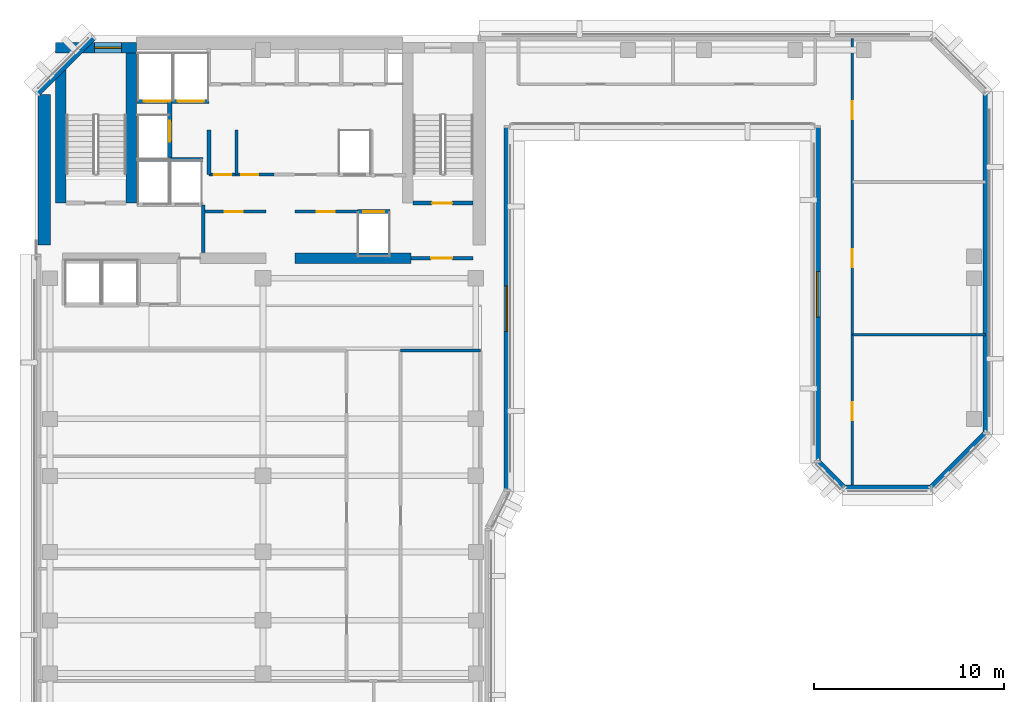
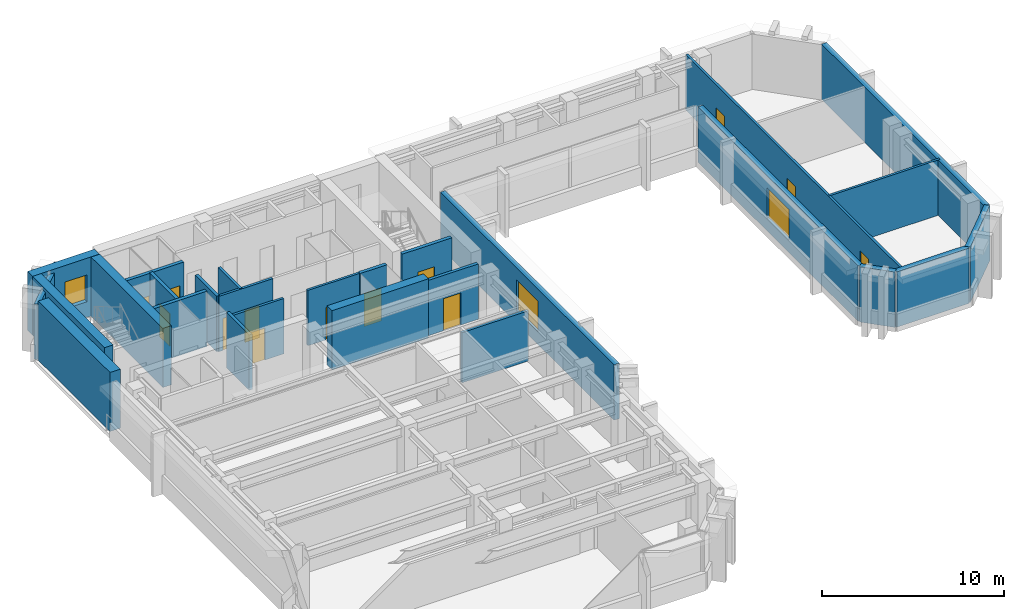
# One storey, part 6 of 11: 27 walls, 13 doors, 3 windows, 16 openings.
"""IFC4 building model written with IfcOpenShell, lengths in metres."""

from ifc_helpers import new_model, si_unit, direction, frame, frame_2d, origin, place, context, subcontext, project, spatial, rectangle, extrude, material, layer, layer_set, type_object, element, fill, save


model = new_model("IFC4")

# Units and contexts
model_context = context("Model", 3, precision=1e-05, world=origin(), true_north=direction((0.0, 1.0)))
body_context = subcontext(model_context, "Body", "Model", "MODEL_VIEW")
ifc_project = project(units=[si_unit("LENGTHUNIT", "METRE"), si_unit("AREAUNIT", "SQUARE_METRE"), si_unit("VOLUMEUNIT", "CUBIC_METRE"), si_unit("PLANEANGLEUNIT", "RADIAN"), si_unit("MASSUNIT", "GRAM", prefix="KILO")], contexts=[model_context])

# Site, building, storey
site_placement = place(None, origin())
site = spatial("IfcSite", under=ifc_project, at=site_placement, CompositionType="ELEMENT")
building_placement = place(site_placement, origin())
building = spatial("IfcBuilding", under=site, at=building_placement, Name="Kefirva Bronze Tower", CompositionType="ELEMENT")
storey_placement = place(building_placement, frame((0.0, 0.0, 227.699951171875)))
storey = spatial("IfcBuildingStorey", under=building, at=storey_placement, Name="L55", CompositionType="ELEMENT", Elevation=227.699951171875)

# Wall, opening, door
ifc_material_1 = material(Name="Gypsum acoustic partition")
ifc_layer_1 = layer(ifc_material_1, 0.14990234375, Name="Gypsum acoustic partition")
ifc_layer_set_1 = layer_set([ifc_layer_1], Name="Gypsum acoustic partition")
wall_type_1 = type_object("IfcWallType", Name="Executive Suite Partition 150mm", PredefinedType="PARTITIONING", material=ifc_layer_set_1)
wall_1_placement = place(storey_placement, frame((13.679931640625, 36.699951171875, 0.0), z_axis=(0.0, 0.0, 1.0), x_axis=(1.0, 0.0, 0.0)))
wall_1 = element("IfcWall", 1, at=wall_1_placement, inside=storey, type_object=wall_type_1, Name="L55 Partition W-L55-RECMP1", PredefinedType="PARTITIONING", context=body_context, shape_type="SweptSolid", body=[
    extrude(rectangle(XDim=3.280029296875, YDim=0.14990234375, at=frame_2d((1.64013671875, 0.0))), origin(), (0.0, 0.0, 1.0), 3.7099609375),
])
opening_1_placement = place(wall_1_placement, frame((1.14990234375, 0.0, 0.0)))
opening_1 = element("IfcOpeningElement", 2, at=opening_1_placement, cuts=wall_1, Name="Opening L55-D-RECMP1", PredefinedType="OPENING", context=body_context, shape_type="SweptSolid", body=[
    extrude(rectangle(XDim=0.949951171875, YDim=2.14990234375, at=frame_2d((0.47509765625, 1.074951171875))), frame((0.0, 0.0849609375, 0.0), z_axis=(0.0, -1.0, 0.0), x_axis=(1.0, 0.0, 0.0)), (0.0, 0.0, 1.0), 0.169921875),
])
ifc_material_2 = material(Name="Acoustic hardwood oak", Category="wood")
door_type_1 = type_object("IfcDoorType", Name="Office & Meeting Room Door 950x2150", OperationType="NOTDEFINED", PredefinedType="DOOR", material=ifc_material_2)
door_1_placement = place(opening_1_placement, origin())
door_1 = element("IfcDoor", 3, at=door_1_placement, inside=storey, type_object=door_type_1, Name="Door L55-D-RECMP1", OperationType="SINGLE_SWING_RIGHT", OverallHeight=2.14990234375, OverallWidth=0.949951171875, PredefinedType="DOOR", context=body_context, shape_type="SweptSolid", body=[
    extrude(rectangle(XDim=0.949951171875, YDim=2.14990234375, at=frame_2d((0.47509765625, 1.074951171875))), frame((0.0, 0.02490234375, 0.0), z_axis=(0.0, -1.0, 0.0), x_axis=(1.0, 0.0, 0.0)), (0.0, 0.0, 1.0), 0.050048828125),
])
fill(opening_1, door_1)

# Wall, openings, doors
wall_2_placement = place(storey_placement, frame((43.0, 22.18994140625, 0.0), z_axis=(0.0, 0.0, 1.0), x_axis=(0.0, 1.0, 0.0)))
wall_2 = element("IfcWall", 4, at=wall_2_placement, inside=storey, type_object=wall_type_1, Name="L55 Partition W-L55-PVEST", PredefinedType="PARTITIONING", context=body_context, shape_type="SweptSolid", body=[
    extrude(rectangle(XDim=23.6201171875, YDim=0.14990234375, at=frame_2d((11.81005859375, 0.0))), origin(), (0.0, 0.0, 1.0), 3.7099609375),
])
opening_2_placement = place(wall_2_placement, frame((3.540283203125, 0.0, 0.0)))
opening_2 = element("IfcOpeningElement", 5, at=opening_2_placement, cuts=wall_2, Name="Opening L55-D-EPV1", PredefinedType="OPENING", context=body_context, shape_type="SweptSolid", body=[
    extrude(rectangle(XDim=0.949951171875, YDim=2.14990234375, at=frame_2d((0.47509765625, 1.074951171875))), frame((0.0, 0.0849609375, 0.0), z_axis=(0.0, -1.0, 0.0), x_axis=(1.0, 0.0, 0.0)), (0.0, 0.0, 1.0), 0.169921875),
])
opening_3_placement = place(wall_2_placement, frame((11.5712890625, 0.0, 0.0)))
opening_3 = element("IfcOpeningElement", 6, at=opening_3_placement, cuts=wall_2, Name="Opening L55-D-EPV2", PredefinedType="OPENING", context=body_context, shape_type="SweptSolid", body=[
    extrude(rectangle(XDim=0.949951171875, YDim=2.14990234375, at=frame_2d((0.47509765625, 1.074951171875))), frame((0.0, 0.0849609375, 0.0), z_axis=(0.0, -1.0, 0.0), x_axis=(1.0, 0.0, 0.0)), (0.0, 0.0, 1.0), 0.169921875),
])
opening_4_placement = place(wall_2_placement, frame((19.36572265625, 0.0, 0.0)))
opening_4 = element("IfcOpeningElement", 7, at=opening_4_placement, cuts=wall_2, Name="Opening L55-D-EPV3", PredefinedType="OPENING", context=body_context, shape_type="SweptSolid", body=[
    extrude(rectangle(XDim=0.949951171875, YDim=2.14990234375, at=frame_2d((0.47509765625, 1.074951171875))), frame((0.0, 0.0849609375, 0.0), z_axis=(0.0, -1.0, 0.0), x_axis=(1.0, 0.0, 0.0)), (0.0, 0.0, 1.0), 0.169921875),
])
door_2_placement = place(opening_2_placement, origin())
door_2 = element("IfcDoor", 8, at=door_2_placement, inside=storey, type_object=door_type_1, Name="Door L55-D-EPV1", OperationType="SINGLE_SWING_RIGHT", OverallHeight=2.14990234375, OverallWidth=0.949951171875, PredefinedType="DOOR", context=body_context, shape_type="SweptSolid", body=[
    extrude(rectangle(XDim=0.949951171875, YDim=2.14990234375, at=frame_2d((0.47509765625, 1.074951171875))), frame((0.0, 0.02490234375, 0.0), z_axis=(0.0, -1.0, 0.0), x_axis=(1.0, 0.0, 0.0)), (0.0, 0.0, 1.0), 0.050048828125),
])
fill(opening_2, door_2)
door_3_placement = place(opening_3_placement, origin())
door_3 = element("IfcDoor", 9, at=door_3_placement, inside=storey, type_object=door_type_1, Name="Door L55-D-EPV2", OperationType="SINGLE_SWING_LEFT", OverallHeight=2.14990234375, OverallWidth=0.949951171875, PredefinedType="DOOR", context=body_context, shape_type="SweptSolid", body=[
    extrude(rectangle(XDim=0.949951171875, YDim=2.14990234375, at=frame_2d((0.47509765625, 1.074951171875))), frame((0.0, 0.02490234375, 0.0), z_axis=(0.0, -1.0, 0.0), x_axis=(1.0, 0.0, 0.0)), (0.0, 0.0, 1.0), 0.050048828125),
])
fill(opening_3, door_3)
door_4_placement = place(opening_4_placement, origin())
door_4 = element("IfcDoor", 10, at=door_4_placement, inside=storey, type_object=door_type_1, Name="Door L55-D-EPV3", OperationType="SINGLE_SWING_RIGHT", OverallHeight=2.14990234375, OverallWidth=0.949951171875, PredefinedType="DOOR", context=body_context, shape_type="SweptSolid", body=[
    extrude(rectangle(XDim=0.949951171875, YDim=2.14990234375, at=frame_2d((0.47509765625, 1.074951171875))), frame((0.0, 0.02490234375, 0.0), z_axis=(0.0, -1.0, 0.0), x_axis=(1.0, 0.0, 0.0)), (0.0, 0.0, 1.0), 0.050048828125),
])
fill(opening_4, door_4)

# Wall
wall_3_placement = place(storey_placement, frame((43.0, 30.220703125, 0.0), z_axis=(0.0, 0.0, 1.0), x_axis=(1.0, 0.0, 0.0)))
element("IfcWall", 11, at=wall_3_placement, inside=storey, type_object=wall_type_1, Name="L55 Partition W-L55-EPVD1", PredefinedType="PARTITIONING", context=body_context, shape_type="SweptSolid", body=[
    extrude(rectangle(XDim=7.010009765625, YDim=0.14990234375, at=frame_2d((3.5048828125, 0.0))), origin(), (0.0, 0.0, 1.0), 3.7099609375),
])

# Wall, opening, door
ifc_material_3 = material(Name="Gypsum fireboard shaftwall")
ifc_layer_2 = layer(ifc_material_3, 0.219970703125, Name="Gypsum fireboard shaftwall")
ifc_layer_set_2 = layer_set([ifc_layer_2], Name="Gypsum fireboard shaftwall")
wall_type_2 = type_object("IfcWallType", Name="Fire-Rated Shaft Enclosure Wall 220mm", PredefinedType="PARTITIONING", material=ifc_layer_set_2)
wall_4_placement = place(storey_placement, frame((19.89990234375, 37.14990234375, 0.0), z_axis=(0.0, 0.0, 1.0), x_axis=(1.0, 0.0, 0.0)))
wall_4 = element("IfcWall", 12, at=wall_4_placement, inside=storey, type_object=wall_type_2, Name="L55 Partition W-L55-ST2S", PredefinedType="PARTITIONING", context=body_context, shape_type="SweptSolid", body=[
    extrude(rectangle(XDim=3.150146484375, YDim=0.219970703125, at=frame_2d((1.5751953125, 0.0))), origin(), (0.0, 0.0, 1.0), 3.7099609375),
])
opening_5_placement = place(wall_4_placement, frame((2.050048828125, 0.0, 0.0), z_axis=(0.0, 0.0, 1.0), x_axis=(-1.0, 0.0, 0.0)))
opening_5 = element("IfcOpeningElement", 13, at=opening_5_placement, cuts=wall_4, Name="Opening L55-D003", PredefinedType="OPENING", context=body_context, shape_type="SweptSolid", body=[
    extrude(rectangle(XDim=1.050048828125, YDim=2.14990234375, at=frame_2d((0.52490234375, 1.074951171875))), frame((0.0, 0.1201171875, 0.0), z_axis=(0.0, -1.0, 0.0), x_axis=(1.0, 0.0, 0.0)), (0.0, 0.0, 1.0), 0.239990234375),
])
ifc_material_4 = material(Name="Painted galvanized steel", Category="steel")
door_type_2 = type_object("IfcDoorType", Name="Fire Stair Enclosure Door 1050x2150 FD90S", OperationType="NOTDEFINED", PredefinedType="DOOR", material=ifc_material_4)
door_5_placement = place(opening_5_placement, origin())
door_5 = element("IfcDoor", 14, at=door_5_placement, inside=storey, type_object=door_type_2, Name="Door L55-D003", OperationType="SINGLE_SWING_LEFT", OverallHeight=2.14990234375, OverallWidth=1.050048828125, PredefinedType="DOOR", context=body_context, shape_type="SweptSolid", body=[
    extrude(rectangle(XDim=1.050048828125, YDim=2.14990234375, at=frame_2d((0.52490234375, 1.074951171875))), frame((0.0, 0.02490234375, 0.0), z_axis=(0.0, -1.0, 0.0), x_axis=(1.0, 0.0, 0.0)), (0.0, 0.0, 1.0), 0.050048828125),
])
fill(opening_5, door_5)

# Wall
wall_5_placement = place(storey_placement, frame((5.3798828125, 39.449951171875, 0.0), z_axis=(0.0, 0.0, 1.0), x_axis=(1.0, 0.0, 0.0)))
element("IfcWall", 15, at=wall_5_placement, inside=storey, type_object=wall_type_2, Name="L55 Partition W-L55-FFN", PredefinedType="PARTITIONING", context=body_context, shape_type="SweptSolid", body=[
    extrude(rectangle(XDim=3.460205078125, YDim=0.219970703125, at=frame_2d((1.72998046875, 0.0))), origin(), (0.0, 0.0, 1.0), 3.7099609375),
])

# Wall, openings, doors
wall_6_placement = place(storey_placement, frame((5.3798828125, 42.5, 0.0), z_axis=(0.0, 0.0, 1.0), x_axis=(1.0, 0.0, 0.0)))
wall_6 = element("IfcWall", 16, at=wall_6_placement, inside=storey, type_object=wall_type_2, Name="L55 Partition W-L55-SVS", PredefinedType="PARTITIONING", context=body_context, shape_type="SweptSolid", body=[
    extrude(rectangle(XDim=3.77001953125, YDim=0.219970703125, at=frame_2d((1.885009765625, 0.0))), origin(), (0.0, 0.0, 1.0), 3.7099609375),
])
opening_6_placement = place(wall_6_placement, frame((1.75, 0.0, 0.0), z_axis=(0.0, 0.0, 1.0), x_axis=(-1.0, 0.0, 0.0)))
opening_6 = element("IfcOpeningElement", 17, at=opening_6_placement, cuts=wall_6, Name="Opening L55-LD-SV1", PredefinedType="OPENING", context=body_context, shape_type="SweptSolid", body=[
    extrude(rectangle(XDim=1.39990234375, YDim=2.199951171875, at=frame_2d((0.699951171875, 1.10009765625))), frame((0.0, 0.1201171875, 0.0), z_axis=(0.0, -1.0, 0.0), x_axis=(1.0, 0.0, 0.0)), (0.0, 0.0, 1.0), 0.239990234375),
])
opening_7_placement = place(wall_6_placement, frame((3.52978515625, 0.0, 0.0), z_axis=(0.0, 0.0, 1.0), x_axis=(-1.0, 0.0, 0.0)))
opening_7 = element("IfcOpeningElement", 18, at=opening_7_placement, cuts=wall_6, Name="Opening L55-LD-SV2", PredefinedType="OPENING", context=body_context, shape_type="SweptSolid", body=[
    extrude(rectangle(XDim=1.39990234375, YDim=2.199951171875, at=frame_2d((0.699951171875, 1.10009765625))), frame((0.0, 0.1201171875, 0.0), z_axis=(0.0, -1.0, 0.0), x_axis=(1.0, 0.0, 0.0)), (0.0, 0.0, 1.0), 0.239990234375),
])
ifc_material_5 = material(Name="Stainless steel 316", Category="steel")
door_type_3 = type_object("IfcDoorType", Name="Goods Lift Bi-Parting Sliding Door 1400x2200", OperationType="SLIDING_TO_LEFT", PredefinedType="DOOR", material=ifc_material_5)
door_6_placement = place(opening_6_placement, origin())
door_6 = element("IfcDoor", 19, at=door_6_placement, inside=storey, type_object=door_type_3, Name="Door L55-LD-SV1", OperationType="SLIDING_TO_LEFT", OverallHeight=2.199951171875, OverallWidth=1.39990234375, PredefinedType="DOOR", context=body_context, shape_type="SweptSolid", body=[
    extrude(rectangle(XDim=1.39990234375, YDim=2.199951171875, at=frame_2d((0.699951171875, 1.10009765625))), frame((0.0, 0.02490234375, 0.0), z_axis=(0.0, -1.0, 0.0), x_axis=(1.0, 0.0, 0.0)), (0.0, 0.0, 1.0), 0.050048828125),
])
fill(opening_6, door_6)
door_7_placement = place(opening_7_placement, origin())
door_7 = element("IfcDoor", 20, at=door_7_placement, inside=storey, type_object=door_type_3, Name="Door L55-LD-SV2", OperationType="SLIDING_TO_LEFT", OverallHeight=2.199951171875, OverallWidth=1.39990234375, PredefinedType="DOOR", context=body_context, shape_type="SweptSolid", body=[
    extrude(rectangle(XDim=1.39990234375, YDim=2.199951171875, at=frame_2d((0.699951171875, 1.10009765625))), frame((0.0, 0.02490234375, 0.0), z_axis=(0.0, -1.0, 0.0), x_axis=(1.0, 0.0, 0.0)), (0.0, 0.0, 1.0), 0.050048828125),
])
fill(opening_7, door_7)

# Wall, opening, door
wall_7_placement = place(storey_placement, frame((7.10009765625, 39.52001953125, 0.0), z_axis=(0.0, 0.0, 1.0), x_axis=(0.0, 1.0, 0.0)))
wall_7 = element("IfcWall", 21, at=wall_7_placement, inside=storey, type_object=wall_type_2, Name="L55 Partition W-L55-HP3E", PredefinedType="PARTITIONING", context=body_context, shape_type="SweptSolid", body=[
    extrude(rectangle(XDim=2.929931640625, YDim=0.219970703125, at=frame_2d((1.46484375, 0.0))), origin(), (0.0, 0.0, 1.0), 3.7099609375),
])
opening_8_placement = place(wall_7_placement, frame((0.85009765625, 0.0, 0.0)))
opening_8 = element("IfcOpeningElement", 22, at=opening_8_placement, cuts=wall_7, Name="Opening L55-LD-HP3", PredefinedType="OPENING", context=body_context, shape_type="SweptSolid", body=[
    extrude(rectangle(XDim=1.10009765625, YDim=2.199951171875, at=frame_2d((0.550048828125, 1.10009765625))), frame((0.0, 0.1201171875, 0.0), z_axis=(0.0, -1.0, 0.0), x_axis=(1.0, 0.0, 0.0)), (0.0, 0.0, 1.0), 0.239990234375),
])
door_type_4 = type_object("IfcDoorType", Name="Passenger Lift Sliding Landing Door 1100x2200", OperationType="SLIDING_TO_LEFT", PredefinedType="DOOR", material=ifc_material_5)
door_8_placement = place(opening_8_placement, origin())
door_8 = element("IfcDoor", 23, at=door_8_placement, inside=storey, type_object=door_type_4, Name="Door L55-LD-HP3", OperationType="SLIDING_TO_LEFT", OverallHeight=2.199951171875, OverallWidth=1.10009765625, PredefinedType="DOOR", context=body_context, shape_type="SweptSolid", body=[
    extrude(rectangle(XDim=1.10009765625, YDim=2.199951171875, at=frame_2d((0.550048828125, 1.10009765625))), frame((0.0, 0.02490234375, 0.0), z_axis=(0.0, -1.0, 0.0), x_axis=(1.0, 0.0, 0.0)), (0.0, 0.0, 1.0), 0.050048828125),
])
fill(opening_8, door_8)

# Wall
wall_8_placement = place(storey_placement, frame((9.159912109375, 38.64990234375, 0.0), z_axis=(0.0, 0.0, 1.0), x_axis=(0.0, 1.0, 0.0)))
element("IfcWall", 24, at=wall_8_placement, inside=storey, type_object=wall_type_2, Name="L55 Partition W-L55-LP3W", PredefinedType="PARTITIONING", context=body_context, shape_type="SweptSolid", body=[
    extrude(rectangle(XDim=2.35009765625, YDim=0.199951171875, at=frame_2d((1.175048828125, 0.0))), origin(), (0.0, 0.0, 1.0), 3.7099609375),
])

# Wall, opening, door
wall_9_placement = place(storey_placement, frame((16.97998046875, 36.699951171875, 0.0), z_axis=(0.0, 0.0, 1.0), x_axis=(1.0, 0.0, 0.0)))
wall_9 = element("IfcWall", 25, at=wall_9_placement, inside=storey, type_object=wall_type_2, Name="L55 Partition W-L55-HPS", PredefinedType="PARTITIONING", context=body_context, shape_type="SweptSolid", body=[
    extrude(rectangle(XDim=1.699951171875, YDim=0.219970703125, at=frame_2d((0.85009765625, 0.0))), origin(), (0.0, 0.0, 1.0), 3.7099609375),
])
opening_9_placement = place(wall_9_placement, frame((0.300048828125, 0.0, 0.0)))
opening_9 = element("IfcOpeningElement", 26, at=opening_9_placement, cuts=wall_9, Name="Opening L55-LD-HP1", PredefinedType="OPENING", context=body_context, shape_type="SweptSolid", body=[
    extrude(rectangle(XDim=1.10009765625, YDim=2.199951171875, at=frame_2d((0.550048828125, 1.10009765625))), frame((0.0, 0.1201171875, 0.0), z_axis=(0.0, -1.0, 0.0), x_axis=(1.0, 0.0, 0.0)), (0.0, 0.0, 1.0), 0.239990234375),
])
door_9_placement = place(opening_9_placement, origin())
door_9 = element("IfcDoor", 27, at=door_9_placement, inside=storey, type_object=door_type_4, Name="Door L55-LD-HP1", OperationType="SLIDING_TO_LEFT", OverallHeight=2.199951171875, OverallWidth=1.10009765625, PredefinedType="DOOR", context=body_context, shape_type="SweptSolid", body=[
    extrude(rectangle(XDim=1.10009765625, YDim=2.199951171875, at=frame_2d((0.550048828125, 1.10009765625))), frame((0.0, 0.02490234375, 0.0), z_axis=(0.0, -1.0, 0.0), x_axis=(1.0, 0.0, 0.0)), (0.0, 0.0, 1.0), 0.050048828125),
])
fill(opening_9, door_9)

# Wall
ifc_material_6 = material(Name="Gypsum fireboard barrier")
ifc_layer_3 = layer(ifc_material_6, 0.199951171875, Name="Gypsum fireboard barrier")
ifc_layer_set_3 = layer_set([ifc_layer_3], Name="Gypsum fireboard barrier")
wall_type_3 = type_object("IfcWallType", Name="Firefighting Lobby Barrier Wall 200mm", PredefinedType="PARTITIONING", material=ifc_layer_set_3)
wall_10_placement = place(storey_placement, frame((8.860107421875, 34.550048828125, 0.0), z_axis=(0.0, 0.0, 1.0), x_axis=(0.0, 1.0, 0.0)))
element("IfcWall", 28, at=wall_10_placement, inside=storey, type_object=wall_type_3, Name="L55 Partition W-L55-FFLE", PredefinedType="PARTITIONING", context=body_context, shape_type="SweptSolid", body=[
    extrude(rectangle(XDim=2.5, YDim=0.199951171875, at=frame_2d((1.25, 0.0))), origin(), (0.0, 0.0, 1.0), 3.7099609375),
])

# Wall, opening, door
wall_11_placement = place(storey_placement, frame((19.800048828125, 34.25, 0.0), z_axis=(0.0, 0.0, 1.0), x_axis=(1.0, 0.0, 0.0)))
wall_11 = element("IfcWall", 29, at=wall_11_placement, inside=storey, type_object=wall_type_3, Name="L55 Partition W-L55-ST2F", PredefinedType="PARTITIONING", context=body_context, shape_type="SweptSolid", body=[
    extrude(rectangle(XDim=3.25, YDim=0.199951171875, at=frame_2d((1.625, 0.0))), origin(), (0.0, 0.0, 1.0), 3.7099609375),
])
opening_10_placement = place(wall_11_placement, frame((2.150146484375, 0.0, 0.0), z_axis=(0.0, 0.0, 1.0), x_axis=(-1.0, 0.0, 0.0)))
opening_10 = element("IfcOpeningElement", 30, at=opening_10_placement, cuts=wall_11, Name="Opening L55-D004", PredefinedType="OPENING", context=body_context, shape_type="SweptSolid", body=[
    extrude(rectangle(XDim=1.10009765625, YDim=2.14990234375, at=frame_2d((0.550048828125, 1.074951171875))), frame((0.0, 0.10986328125, 0.0), z_axis=(0.0, -1.0, 0.0), x_axis=(1.0, 0.0, 0.0)), (0.0, 0.0, 1.0), 0.219970703125),
])
door_type_5 = type_object("IfcDoorType", Name="Firefighting Lobby Smoke Door 1100x2150 FD60S", OperationType="NOTDEFINED", PredefinedType="DOOR", material=ifc_material_4)
door_10_placement = place(opening_10_placement, origin())
door_10 = element("IfcDoor", 31, at=door_10_placement, inside=storey, type_object=door_type_5, Name="Door L55-D004", OperationType="SINGLE_SWING_RIGHT", OverallHeight=2.14990234375, OverallWidth=1.10009765625, PredefinedType="DOOR", context=body_context, shape_type="SweptSolid", body=[
    extrude(rectangle(XDim=1.10009765625, YDim=2.14990234375, at=frame_2d((0.550048828125, 1.074951171875))), frame((0.0, 0.02490234375, 0.0), z_axis=(0.0, -1.0, 0.0), x_axis=(1.0, 0.0, 0.0)), (0.0, 0.0, 1.0), 0.050048828125),
])
fill(opening_10, door_10)

# Wall, opening, window
ifc_material_7 = material(Name="Precast concrete C40/50", Category="concrete")
ifc_layer_4 = layer(ifc_material_7, 0.320068359375, Name="Precast concrete C40/50")
ifc_layer_set_4 = layer_set([ifc_layer_4], Name="Precast concrete C40/50")
wall_type_4 = type_object("IfcWallType", Name="Precast Insulated Exterior Wall 320mm", PredefinedType="SOLIDWALL", material=ifc_layer_set_4)
wall_12_placement = place(storey_placement, frame((24.840087890625, 22.054931640625, 0.0), z_axis=(0.0, 0.0, 1.0), x_axis=(0.0, 1.0, 0.0)))
wall_12 = element("IfcWall", 32, at=wall_12_placement, inside=storey, type_object=wall_type_4, Name="L55 Exterior Facade Wall 4", PredefinedType="SOLIDWALL", context=body_context, shape_type="SweptSolid", body=[
    extrude(rectangle(XDim=19.090087890625, YDim=0.320068359375, at=frame_2d((9.544921875, 0.0))), origin(), (0.0, 0.0, 1.0), 3.7099609375),
])
opening_11_placement = place(wall_12_placement, frame((8.344970703125, 0.0, 0.85009765625)))
opening_11 = element("IfcOpeningElement", 33, at=opening_11_placement, cuts=wall_12, Name="Opening WN-01", PredefinedType="OPENING", context=body_context, shape_type="SweptSolid", body=[
    extrude(rectangle(XDim=2.39990234375, YDim=2.050048828125, at=frame_2d((1.199951171875, 1.02490234375))), frame((0.0, 0.169921875, 0.0), z_axis=(0.0, -1.0, 0.0), x_axis=(1.0, 0.0, 0.0)), (0.0, 0.0, 1.0), 0.340087890625),
])
ifc_material_8 = material(Name="Laminated low-E double glazing", Category="glass")
window_type_1 = type_object("IfcWindowType", Name="Streamline Ribbon Window 2400x2050", PartitioningType="SINGLE_PANEL", PredefinedType="WINDOW", material=ifc_material_8)
window_1_placement = place(opening_11_placement, origin())
window_1 = element("IfcWindow", 34, at=window_1_placement, inside=storey, type_object=window_type_1, Name="L55 Ribbon Window 4", OverallHeight=2.050048828125, OverallWidth=2.39990234375, PartitioningType="SINGLE_PANEL", PredefinedType="WINDOW", context=body_context, shape_type="SweptSolid", body=[
    extrude(rectangle(XDim=2.39990234375, YDim=2.050048828125, at=frame_2d((1.199951171875, 1.02490234375))), frame((0.0, 0.030029296875, 0.0), z_axis=(0.0, -1.0, 0.0), x_axis=(1.0, 0.0, 0.0)), (0.0, 0.0, 1.0), 0.06005859375),
])
fill(opening_11, window_1)

wall_13_placement = place(storey_placement, frame((41.159912109375, 41.14501953125, 0.0), z_axis=(0.0, 0.0, 1.0), x_axis=(0.0, -1.0, 0.0)))
wall_13 = element("IfcWall", 35, at=wall_13_placement, inside=storey, type_object=wall_type_4, Name="L55 Exterior Facade Wall 5", PredefinedType="SOLIDWALL", context=body_context, shape_type="SweptSolid", body=[
    extrude(rectangle(XDim=17.590087890625, YDim=0.320068359375, at=frame_2d((8.794921875, 0.0))), origin(), (0.0, 0.0, 1.0), 3.7099609375),
])
opening_12_placement = place(wall_13_placement, frame((7.594970703125, 0.0, 0.85009765625)))
opening_12 = element("IfcOpeningElement", 36, at=opening_12_placement, cuts=wall_13, Name="Opening WN-01", PredefinedType="OPENING", context=body_context, shape_type="SweptSolid", body=[
    extrude(rectangle(XDim=2.39990234375, YDim=2.050048828125, at=frame_2d((1.199951171875, 1.02490234375))), frame((0.0, 0.169921875, 0.0), z_axis=(0.0, -1.0, 0.0), x_axis=(1.0, 0.0, 0.0)), (0.0, 0.0, 1.0), 0.340087890625),
])
window_2_placement = place(opening_12_placement, origin())
window_2 = element("IfcWindow", 37, at=window_2_placement, inside=storey, type_object=window_type_1, Name="L55 Ribbon Window 5", OverallHeight=2.050048828125, OverallWidth=2.39990234375, PartitioningType="SINGLE_PANEL", PredefinedType="WINDOW", context=body_context, shape_type="SweptSolid", body=[
    extrude(rectangle(XDim=2.39990234375, YDim=2.050048828125, at=frame_2d((1.199951171875, 1.02490234375))), frame((0.0, 0.030029296875, 0.0), z_axis=(0.0, -1.0, 0.0), x_axis=(1.0, 0.0, 0.0)), (0.0, 0.0, 1.0), 0.06005859375),
])
fill(opening_12, window_2)

# Walls
wall_14_placement = place(storey_placement, frame((41.152099609375, 23.57421875, 0.0), z_axis=(0.0, 0.0, 1.0), x_axis=(0.707106781187, -0.707106781187, 0.0)))
element("IfcWall", 38, at=wall_14_placement, inside=storey, type_object=wall_type_4, Name="L55 Exterior Facade Wall 6", PredefinedType="SOLIDWALL", context=body_context, shape_type="SweptSolid", body=[
    extrude(rectangle(XDim=2.01123046875, YDim=0.320068359375, at=frame_2d((1.005615234375, 0.0))), origin(), (0.0, 0.0, 1.0), 3.7099609375),
])
wall_15_placement = place(storey_placement, frame((42.554931640625, 22.159912109375, 0.0), z_axis=(0.0, 0.0, 1.0), x_axis=(1.0, 0.0, 0.0)))
element("IfcWall", 39, at=wall_15_placement, inside=storey, type_object=wall_type_4, Name="L55 Exterior Facade Wall 7", PredefinedType="SOLIDWALL", context=body_context, shape_type="SweptSolid", body=[
    extrude(rectangle(XDim=4.590087890625, YDim=0.320068359375, at=frame_2d((2.294921875, 0.0))), origin(), (0.0, 0.0, 1.0), 3.7099609375),
])
wall_16_placement = place(storey_placement, frame((47.125732421875, 22.152099609375, 0.0), z_axis=(0.0, 0.0, 1.0), x_axis=(0.707136318428, 0.707077242712, 0.0)))
element("IfcWall", 40, at=wall_16_placement, inside=storey, type_object=wall_type_4, Name="L55 Exterior Facade Wall 8", PredefinedType="SOLIDWALL", context=body_context, shape_type="SweptSolid", body=[
    extrude(rectangle(XDim=4.132568359375, YDim=0.320068359375, at=frame_2d((2.06640625, 0.0))), origin(), (0.0, 0.0, 1.0), 3.7099609375),
])
wall_17_placement = place(storey_placement, frame((50.0400390625, 25.054931640625, 0.0), z_axis=(0.0, 0.0, 1.0), x_axis=(0.0, 1.0, 0.0)))
element("IfcWall", 41, at=wall_17_placement, inside=storey, type_object=wall_type_4, Name="L55 Exterior Facade Wall 9", PredefinedType="SOLIDWALL", context=body_context, shape_type="SweptSolid", body=[
    extrude(rectangle(XDim=17.89013671875, YDim=0.320068359375, at=frame_2d((8.945068359375, 0.0))), origin(), (0.0, 0.0, 1.0), 3.7099609375),
])
wall_18_placement = place(storey_placement, frame((3.07421875, 45.847900390625, 0.0), z_axis=(0.0, 0.0, 1.0), x_axis=(-0.707106781187, -0.707106781187, 0.0)))
element("IfcWall", 42, at=wall_18_placement, inside=storey, type_object=wall_type_4, Name="L55 Exterior Facade Wall 12", PredefinedType="SOLIDWALL", context=body_context, shape_type="SweptSolid", body=[
    extrude(rectangle(XDim=4.132568359375, YDim=0.320068359375, at=frame_2d((2.06640625, 0.0))), origin(), (0.0, 0.0, 1.0), 3.7099609375),
])

# Wall, opening, door
ifc_layer_5 = layer(ifc_material_1, 0.159912109375, Name="Gypsum acoustic partition")
ifc_layer_set_5 = layer_set([ifc_layer_5], Name="Gypsum acoustic partition")
wall_type_5 = type_object("IfcWallType", Name="Protected Corridor Partition 160mm", PredefinedType="PARTITIONING", material=ifc_layer_set_5)
wall_19_placement = place(storey_placement, frame((8.89990234375, 36.699951171875, 0.0), z_axis=(0.0, 0.0, 1.0), x_axis=(1.0, 0.0, 0.0)))
wall_19 = element("IfcWall", 43, at=wall_19_placement, inside=storey, type_object=wall_type_5, Name="L55 Partition W-L55-RECLP1", PredefinedType="PARTITIONING", context=body_context, shape_type="SweptSolid", body=[
    extrude(rectangle(XDim=3.25, YDim=0.159912109375, at=frame_2d((1.625, 0.0))), origin(), (0.0, 0.0, 1.0), 3.7099609375),
])
opening_13_placement = place(wall_19_placement, frame((1.10009765625, 0.0, 0.0)))
opening_13 = element("IfcOpeningElement", 44, at=opening_13_placement, cuts=wall_19, Name="Opening L55-D-RECLP1", PredefinedType="OPENING", context=body_context, shape_type="SweptSolid", body=[
    extrude(rectangle(XDim=0.949951171875, YDim=2.14990234375, at=frame_2d((0.47509765625, 1.074951171875))), frame((0.0, 0.08984375, 0.0), z_axis=(0.0, -1.0, 0.0), x_axis=(1.0, 0.0, 0.0)), (0.0, 0.0, 1.0), 0.179931640625),
])
door_11_placement = place(opening_13_placement, origin())
door_11 = element("IfcDoor", 45, at=door_11_placement, inside=storey, type_object=door_type_1, Name="Door L55-D-RECLP1", OperationType="SINGLE_SWING_LEFT", OverallHeight=2.14990234375, OverallWidth=0.949951171875, PredefinedType="DOOR", context=body_context, shape_type="SweptSolid", body=[
    extrude(rectangle(XDim=0.949951171875, YDim=2.14990234375, at=frame_2d((0.47509765625, 1.074951171875))), frame((0.0, 0.02490234375, 0.0), z_axis=(0.0, -1.0, 0.0), x_axis=(1.0, 0.0, 0.0)), (0.0, 0.0, 1.0), 0.050048828125),
])
fill(opening_13, door_11)

# Wall, openings, doors
wall_20_placement = place(storey_placement, frame((9.159912109375, 38.64990234375, 0.0), z_axis=(0.0, 0.0, 1.0), x_axis=(1.0, 0.0, 0.0)))
wall_20 = element("IfcWall", 46, at=wall_20_placement, inside=storey, type_object=wall_type_5, Name="L55 Partition W-L55-RECLP2", PredefinedType="PARTITIONING", context=body_context, shape_type="SweptSolid", body=[
    extrude(rectangle(XDim=3.420166015625, YDim=0.159912109375, at=frame_2d((1.7099609375, 0.0))), origin(), (0.0, 0.0, 1.0), 3.7099609375),
])
opening_14_placement = place(wall_20_placement, frame((1.179931640625, 0.0, 0.0), z_axis=(0.0, 0.0, 1.0), x_axis=(-1.0, 0.0, 0.0)))
opening_14 = element("IfcOpeningElement", 47, at=opening_14_placement, cuts=wall_20, Name="Opening L55-D-RECLP2A", PredefinedType="OPENING", context=body_context, shape_type="SweptSolid", body=[
    extrude(rectangle(XDim=0.89990234375, YDim=2.14990234375, at=frame_2d((0.449951171875, 1.074951171875))), frame((0.0, 0.08984375, 0.0), z_axis=(0.0, -1.0, 0.0), x_axis=(1.0, 0.0, 0.0)), (0.0, 0.0, 1.0), 0.179931640625),
])
opening_15_placement = place(wall_20_placement, frame((2.599853515625, 0.0, 0.0), z_axis=(0.0, 0.0, 1.0), x_axis=(-1.0, 0.0, 0.0)))
opening_15 = element("IfcOpeningElement", 48, at=opening_15_placement, cuts=wall_20, Name="Opening L55-D-RECLP2B", PredefinedType="OPENING", context=body_context, shape_type="SweptSolid", body=[
    extrude(rectangle(XDim=0.89990234375, YDim=2.14990234375, at=frame_2d((0.449951171875, 1.074951171875))), frame((0.0, 0.08984375, 0.0), z_axis=(0.0, -1.0, 0.0), x_axis=(1.0, 0.0, 0.0)), (0.0, 0.0, 1.0), 0.179931640625),
])
door_type_6 = type_object("IfcDoorType", Name="Core Archive & Server Fire Door 900x2150 FD60S", OperationType="NOTDEFINED", PredefinedType="DOOR", material=ifc_material_4)
door_12_placement = place(opening_14_placement, origin())
door_12 = element("IfcDoor", 49, at=door_12_placement, inside=storey, type_object=door_type_6, Name="Door L55-D-RECLP2A", OperationType="SINGLE_SWING_RIGHT", OverallHeight=2.14990234375, OverallWidth=0.89990234375, PredefinedType="DOOR", context=body_context, shape_type="SweptSolid", body=[
    extrude(rectangle(XDim=0.89990234375, YDim=2.14990234375, at=frame_2d((0.449951171875, 1.074951171875))), frame((0.0, 0.02490234375, 0.0), z_axis=(0.0, -1.0, 0.0), x_axis=(1.0, 0.0, 0.0)), (0.0, 0.0, 1.0), 0.050048828125),
])
fill(opening_14, door_12)
door_13_placement = place(opening_15_placement, origin())
door_13 = element("IfcDoor", 50, at=door_13_placement, inside=storey, type_object=door_type_6, Name="Door L55-D-RECLP2B", OperationType="SINGLE_SWING_LEFT", OverallHeight=2.14990234375, OverallWidth=0.89990234375, PredefinedType="DOOR", context=body_context, shape_type="SweptSolid", body=[
    extrude(rectangle(XDim=0.89990234375, YDim=2.14990234375, at=frame_2d((0.449951171875, 1.074951171875))), frame((0.0, 0.02490234375, 0.0), z_axis=(0.0, -1.0, 0.0), x_axis=(1.0, 0.0, 0.0)), (0.0, 0.0, 1.0), 0.050048828125),
])
fill(opening_15, door_13)

# Walls
wall_21_placement = place(storey_placement, frame((10.60009765625, 38.64990234375, 0.0), z_axis=(0.0, 0.0, 1.0), x_axis=(0.0, 1.0, 0.0)))
element("IfcWall", 51, at=wall_21_placement, inside=storey, type_object=wall_type_5, Name="L55 Partition W-L55-RECLP2D", PredefinedType="PARTITIONING", context=body_context, shape_type="SweptSolid", body=[
    extrude(rectangle(XDim=2.35009765625, YDim=0.159912109375, at=frame_2d((1.175048828125, 0.0))), origin(), (0.0, 0.0, 1.0), 3.7099609375),
])
wall_22_placement = place(storey_placement, frame((19.239990234375, 29.39990234375, 0.0), z_axis=(0.0, 0.0, 1.0), x_axis=(1.0, 0.0, 0.0)))
element("IfcWall", 52, at=wall_22_placement, inside=storey, type_object=wall_type_5, Name="L55 Partition W-L55-NET", PredefinedType="PARTITIONING", context=body_context, shape_type="SweptSolid", body=[
    extrude(rectangle(XDim=4.2099609375, YDim=0.159912109375, at=frame_2d((2.10498046875, 0.0))), origin(), (0.0, 0.0, 1.0), 3.364990234375),
])

# Wall, opening, window
ifc_material_9 = material(Name="Concrete C50/60", Category="concrete")
ifc_layer_6 = layer(ifc_material_9, 0.550048828125, Name="Concrete C50/60")
ifc_layer_set_6 = layer_set([ifc_layer_6], Name="Concrete C50/60")
wall_type_6 = type_object("IfcWallType", Name="RC Rear Core Exterior Wall 550mm", PredefinedType="SHEAR", material=ifc_layer_set_6)
wall_23_placement = place(storey_placement, frame((1.10009765625, 45.320068359375, 0.0), z_axis=(0.0, 0.0, 1.0), x_axis=(1.0, 0.0, 0.0)))
wall_23 = element("IfcWall", 53, at=wall_23_placement, inside=storey, type_object=wall_type_6, Name="L55 Stair 1 North Shear Wall", PredefinedType="SHEAR", context=body_context, shape_type="SweptSolid", body=[
    extrude(rectangle(XDim=4.239990234375, YDim=0.550048828125, at=frame_2d((2.1201171875, 0.0))), origin(), (0.0, 0.0, 1.0), 3.9599609375),
])
opening_16_placement = place(wall_23_placement, frame((2.050048828125, 0.0, 1.050048828125)))
opening_16 = element("IfcOpeningElement", 54, at=opening_16_placement, cuts=wall_23, Name="Opening WN-03", PredefinedType="OPENING", context=body_context, shape_type="SweptSolid", body=[
    extrude(rectangle(XDim=1.39990234375, YDim=1.800048828125, at=frame_2d((0.699951171875, 0.89990234375))), frame((0.0, 0.28515625, 0.0), z_axis=(0.0, -1.0, 0.0), x_axis=(1.0, 0.0, 0.0)), (0.0, 0.0, 1.0), 0.570068359375),
])
window_type_2 = type_object("IfcWindowType", Name="Rear-Core Stair Daylight Window 1400x1800", PartitioningType="SINGLE_PANEL", PredefinedType="WINDOW", material=ifc_material_8)
window_3_placement = place(opening_16_placement, origin())
window_3 = element("IfcWindow", 55, at=window_3_placement, inside=storey, type_object=window_type_2, Name="L55 Stair 1 Daylight Window", OverallHeight=1.800048828125, OverallWidth=1.39990234375, PartitioningType="SINGLE_PANEL", PredefinedType="WINDOW", context=body_context, shape_type="SweptSolid", body=[
    extrude(rectangle(XDim=1.39990234375, YDim=1.800048828125, at=frame_2d((0.699951171875, 0.89990234375))), frame((0.0, 0.030029296875, 0.0), z_axis=(0.0, -1.0, 0.0), x_axis=(1.0, 0.0, 0.0)), (0.0, 0.0, 1.0), 0.06005859375),
])
fill(opening_16, window_3)

# Walls
ifc_layer_7 = layer(ifc_material_9, 0.64990234375, Name="Concrete C50/60")
ifc_layer_set_7 = layer_set([ifc_layer_7], Name="Concrete C50/60")
wall_type_7 = type_object("IfcWallType", Name="RC Rear Core Exterior Wall 650mm", PredefinedType="SHEAR", material=ifc_layer_set_7)
wall_24_placement = place(storey_placement, frame((0.5, 34.949951171875, 0.0), z_axis=(0.0, 0.0, 1.0), x_axis=(0.0, 1.0, 0.0)))
element("IfcWall", 56, at=wall_24_placement, inside=storey, type_object=wall_type_7, Name="L55 Rear Core West Shear Wall", PredefinedType="SHEAR", context=body_context, shape_type="SweptSolid", body=[
    extrude(rectangle(XDim=7.900146484375, YDim=0.64990234375, at=frame_2d((3.9501953125, 0.0))), origin(), (0.0, 0.0, 1.0), 3.9599609375),
])
ifc_layer_8 = layer(ifc_material_9, 0.550048828125, Name="Concrete C50/60")
ifc_layer_set_8 = layer_set([ifc_layer_8], Name="Concrete C50/60")
wall_type_8 = type_object("IfcWallType", Name="RC Rear Core Interior Wall 550mm", PredefinedType="SHEAR", material=ifc_layer_set_8)
for number, where, z_axis, x_axis, name in (
    (57, (1.3701171875, 37.14990234375, 0.0), (0.0, 0.0, 1.0), (0.0, 1.0, 0.0), "L55 Stair 1 West Shear Wall"),
    (58, (5.070068359375, 37.14990234375, 0.0), (0.0, 0.0, 1.0), (0.0, 1.0, 0.0), "L55 Stair 1 East Shear Wall"),
):
    element("IfcWall", number, at=place(storey_placement, frame(where, z_axis=z_axis, x_axis=x_axis)), inside=storey, type_object=wall_type_8, Name=name, PredefinedType="SHEAR", context=body_context, shape_type="SweptSolid", body=[
        extrude(rectangle(XDim=7.89013671875, YDim=0.550048828125, at=frame_2d((3.945068359375, 0.0))), origin(), (0.0, 0.0, 1.0), 3.9599609375),
    ])
ifc_layer_9 = layer(ifc_material_9, 0.64990234375, Name="Concrete C50/60")
ifc_layer_set_9 = layer_set([ifc_layer_9], Name="Concrete C50/60")
wall_type_9 = type_object("IfcWallType", Name="RC Rear Core Interior Wall 650mm", PredefinedType="SHEAR", material=ifc_layer_set_9)
wall_25_placement = place(storey_placement, frame((13.679931640625, 34.25, 0.0), z_axis=(0.0, 0.0, 1.0), x_axis=(1.0, 0.0, 0.0)))
element("IfcWall", 59, at=wall_25_placement, inside=storey, type_object=wall_type_9, Name="L55 Rear Core South-East Shear Wall", PredefinedType="SHEAR", context=body_context, shape_type="SweptSolid", body=[
    extrude(rectangle(XDim=6.1201171875, YDim=0.550048828125, at=frame_2d((3.06005859375, 0.0))), origin(), (0.0, 0.0, 1.0), 3.9599609375),
])

save(model, "model.ifc")
